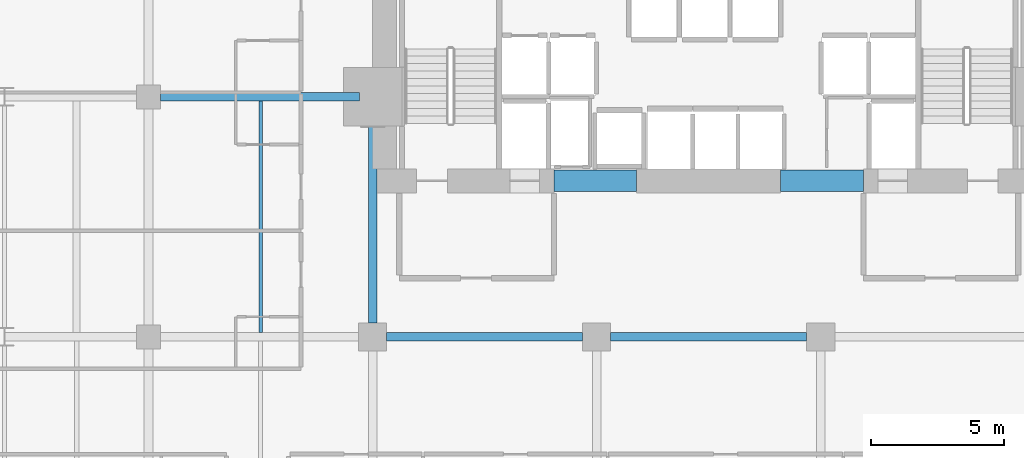
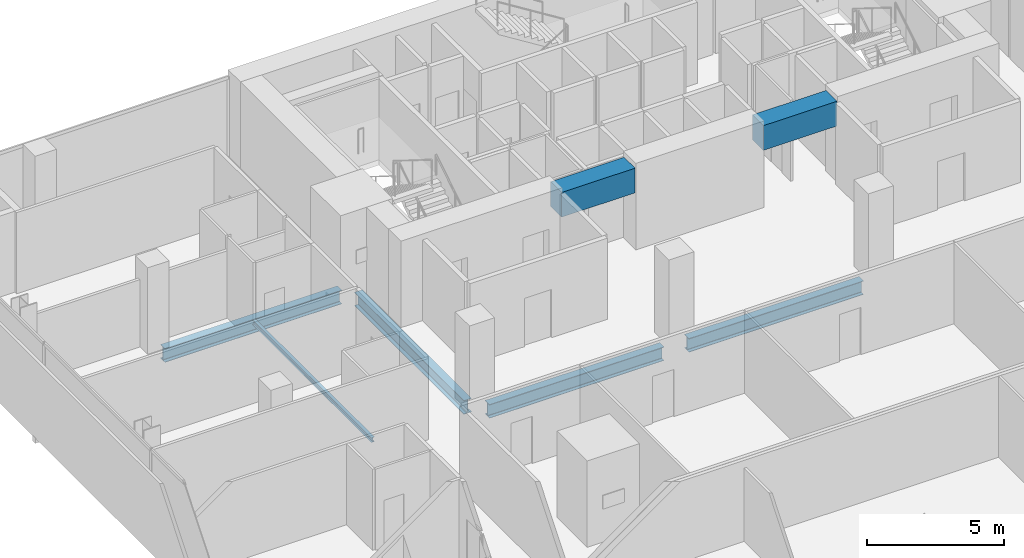
# One storey, part 24 of 40: 7 beams.
"""IFC4 building model written with IfcOpenShell, lengths in metres."""

from ifc_helpers import new_model, si_unit, direction, frame, origin, origin_2d, place, context, subcontext, project, spatial, rectangle, i_section, extrude, material, material_profile, profile_set, type_object, element, save


model = new_model("IFC4")

# Units and contexts
model_context = context("Model", 3, precision=1e-05, world=origin(), true_north=direction((0.0, 1.0)))
body_context = subcontext(model_context, "Body", "Model", "MODEL_VIEW")
ifc_project = project(units=[si_unit("LENGTHUNIT", "METRE"), si_unit("AREAUNIT", "SQUARE_METRE"), si_unit("VOLUMEUNIT", "CUBIC_METRE"), si_unit("PLANEANGLEUNIT", "RADIAN"), si_unit("MASSUNIT", "GRAM", prefix="KILO")], contexts=[model_context])

# Site, building, storey
site_placement = place(None, origin())
site = spatial("IfcSite", under=ifc_project, at=site_placement, CompositionType="ELEMENT")
building_placement = place(site_placement, origin())
building = spatial("IfcBuilding", under=site, at=building_placement, Name="Maruvema Waterfront Hotel and Observation Tower", CompositionType="ELEMENT")
storey_placement = place(building_placement, frame((0.0, 0.0, 80.85009765625)))
storey = spatial("IfcBuildingStorey", under=building, at=storey_placement, Name="L19", CompositionType="ELEMENT", Elevation=80.85009765625)

# Beams
ifc_material_1 = material(Name="Concrete C60/75", Category="concrete")
ifc_material_profile_1 = material_profile(ifc_material_1, rectangle(XDim=0.800048828125, YDim=1.10009765625, at=origin_2d()), Name="CB800x1100")
ifc_profile_set_1 = profile_set([ifc_material_profile_1], Name="Concrete C60/75")
beam_type_1 = type_object("IfcBeamType", Name="Core Coupling Lintel Beam CB800x1100", PredefinedType="LINTEL", material=ifc_profile_set_1)
for number, where, z_axis, x_axis, name in (
    (1, (32.0, 41.85009765625, 3.059814453125), (1.0, 0.0, 0.0), (0.0, 1.0, 0.0), "L19 Core Coupling Lintel Beam West"),
    (2, (40.5, 41.85009765625, 3.059814453125), (1.0, 0.0, 0.0), (0.0, 1.0, 0.0), "L19 Core Coupling Lintel Beam East"),
):
    element("IfcBeam", number, at=place(storey_placement, frame(where, z_axis=z_axis, x_axis=x_axis)), inside=storey, type_object=beam_type_1, Name=name, PredefinedType="LINTEL", context=body_context, shape_type="SweptSolid", body=[
        extrude(rectangle(XDim=0.800048828125, YDim=1.10009765625, at=origin_2d()), origin(), (0.0, 0.0, 1.0), 3.10009765625),
    ])
ifc_material_2 = material(Name="Steel ASTM A572 Grade 50", Category="steel")
ifc_material_profile_2 = material_profile(ifc_material_2, i_section(OverallWidth=0.323974609375, OverallDepth=0.611083984375, WebThickness=0.0126953125, FlangeThickness=0.01904296875, FilletRadius=0.01806640625, at=origin_2d()), Name="W610x155.0")
ifc_profile_set_2 = profile_set([ifc_material_profile_2], Name="Steel ASTM A572 Grade 50")
beam_type_2 = type_object("IfcBeamType", Name="Primary Floor Girder W610x155.0", PredefinedType="BEAM", material=ifc_profile_set_2)
beam_1_placement = place(storey_placement, frame((25.72509765625, 36.0, -0.545654296875), z_axis=(1.0, 0.0, 0.0), x_axis=(0.0, 1.0, 0.0)))
element("IfcBeam", 3, at=beam_1_placement, inside=storey, type_object=beam_type_2, Name="L19 Floor Girder EW-27", PredefinedType="BEAM", context=body_context, shape_type="SweptSolid", body=[
    extrude(i_section(OverallWidth=0.323974609375, OverallDepth=0.611083984375, WebThickness=0.0126953125, FlangeThickness=0.01904296875, FilletRadius=0.01806640625, at=origin_2d()), origin(), (0.0, 0.0, 1.0), 7.349853515625),
])
beam_2_placement = place(storey_placement, frame((34.125, 36.0, -0.545654296875), z_axis=(1.0, 0.0, 0.0), x_axis=(0.0, 1.0, 0.0)))
element("IfcBeam", 4, at=beam_2_placement, inside=storey, type_object=beam_type_2, Name="L19 Floor Girder EW-28", PredefinedType="BEAM", context=body_context, shape_type="SweptSolid", body=[
    extrude(i_section(OverallWidth=0.323974609375, OverallDepth=0.611083984375, WebThickness=0.0126953125, FlangeThickness=0.01904296875, FilletRadius=0.01806640625, at=origin_2d()), origin(), (0.0, 0.0, 1.0), 7.35009765625),
])
beam_3_placement = place(storey_placement, frame((17.25, 45.0, -0.545654296875), z_axis=(1.0, 0.0, 0.0), x_axis=(0.0, 1.0, 0.0)))
element("IfcBeam", 5, at=beam_3_placement, inside=storey, type_object=beam_type_2, Name="L19 Floor Girder EW-33", PredefinedType="BEAM", context=body_context, shape_type="SweptSolid", body=[
    extrude(i_section(OverallWidth=0.323974609375, OverallDepth=0.611083984375, WebThickness=0.0126953125, FlangeThickness=0.01904296875, FilletRadius=0.01806640625, at=origin_2d()), origin(), (0.0, 0.0, 1.0), 7.449951171875),
])
beam_4_placement = place(storey_placement, frame((25.199951171875, 36.52490234375, -0.545654296875), z_axis=(0.0, 1.0, 0.0), x_axis=(-1.0, 0.0, 0.0)))
element("IfcBeam", 6, at=beam_4_placement, inside=storey, type_object=beam_type_2, Name="L19 Floor Girder NS-15", PredefinedType="BEAM", context=body_context, shape_type="SweptSolid", body=[
    extrude(i_section(OverallWidth=0.323974609375, OverallDepth=0.611083984375, WebThickness=0.0126953125, FlangeThickness=0.01904296875, FilletRadius=0.01806640625, at=origin_2d()), origin(), (0.0, 0.0, 1.0), 7.97509765625),
])
ifc_material_3 = material(Name="Steel ASTM A572 Grade 50", Category="steel")
ifc_material_profile_3 = material_profile(ifc_material_3, i_section(OverallWidth=0.133056640625, OverallDepth=0.20703125, WebThickness=0.005859375, FlangeThickness=0.00830078125, FilletRadius=0.010009765625, at=origin_2d()), Name="W200x26.6")
ifc_profile_set_3 = profile_set([ifc_material_profile_3], Name="Steel ASTM A572 Grade 50")
beam_type_3 = type_object("IfcBeamType", Name="Secondary Floor Joist W200x26.6", PredefinedType="JOIST", material=ifc_profile_set_3)
beam_5_placement = place(storey_placement, frame((21.0, 36.162109375, -0.343505859375), z_axis=(0.0, 1.0, 0.0), x_axis=(-1.0, 0.0, 0.0)))
element("IfcBeam", 7, at=beam_5_placement, inside=storey, type_object=beam_type_3, Name="L19 Secondary Floor Joist JS-09", PredefinedType="JOIST", context=body_context, shape_type="SweptSolid", body=[
    extrude(i_section(OverallWidth=0.133056640625, OverallDepth=0.20703125, WebThickness=0.005859375, FlangeThickness=0.00830078125, FilletRadius=0.010009765625, at=origin_2d()), origin(), (0.0, 0.0, 1.0), 8.67578125),
])

save(model, "model.ifc")
